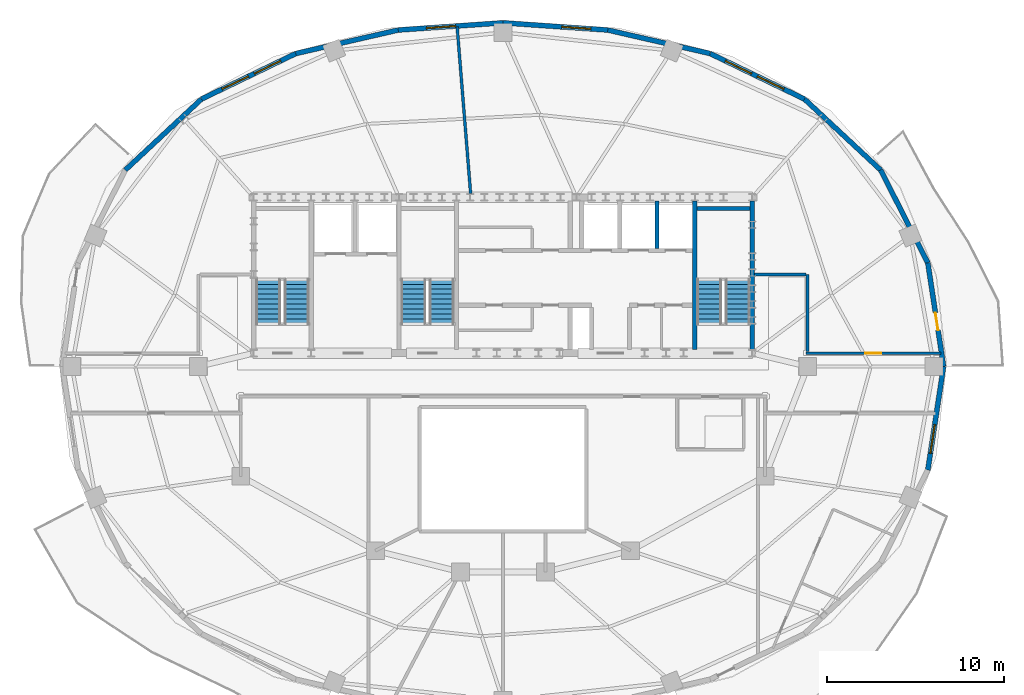
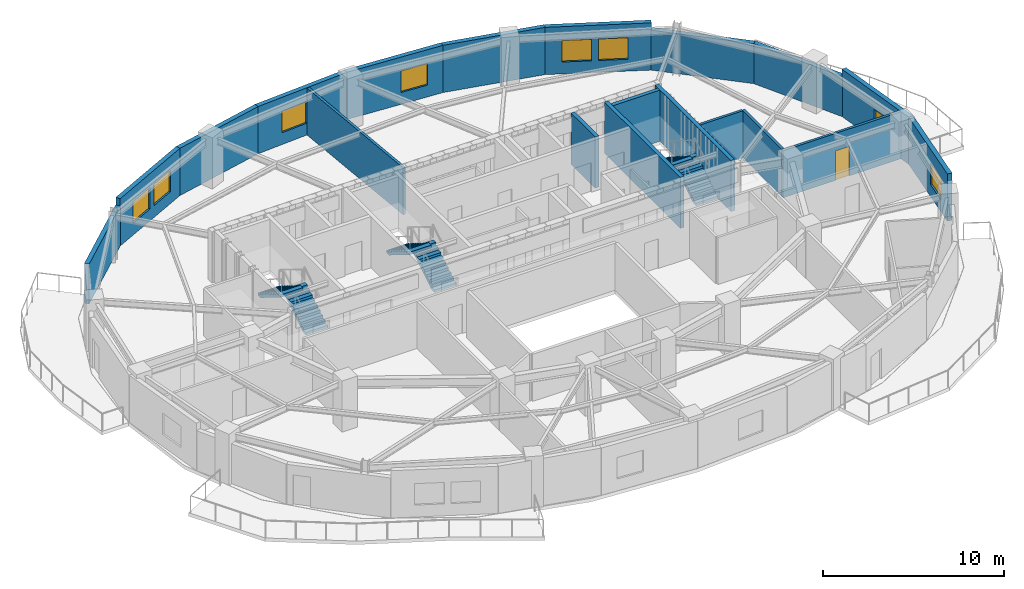
# One storey, part 5 of 9: 19 walls, 7 windows, 6 stair flights, 2 doors, 9 openings, 3 elements without a shape of their own.
"""IFC4 building model written with IfcOpenShell, lengths in metres."""

from ifc_helpers import new_model, si_unit, direction, frame, frame_2d, origin, place, context, subcontext, project, spatial, polyline, rectangle, outline, extrude, material, layer, layer_set, type_object, element, fill, aggregate, save


model = new_model("IFC4")

# Units and contexts
model_context = context("Model", 3, precision=1e-05, world=origin(), true_north=direction((0.0, 1.0)))
body_context = subcontext(model_context, "Body", "Model", "MODEL_VIEW")
ifc_project = project(units=[si_unit("LENGTHUNIT", "METRE"), si_unit("AREAUNIT", "SQUARE_METRE"), si_unit("VOLUMEUNIT", "CUBIC_METRE"), si_unit("PLANEANGLEUNIT", "RADIAN"), si_unit("MASSUNIT", "GRAM", prefix="KILO")], contexts=[model_context])

# Site, building, storey
site_placement = place(None, origin())
site = spatial("IfcSite", under=ifc_project, at=site_placement, CompositionType="ELEMENT")
building_placement = place(site_placement, origin())
building = spatial("IfcBuilding", under=site, at=building_placement, Name="Haldorwick Loom Tower", CompositionType="ELEMENT")
storey_placement = place(building_placement, frame((0.0, 0.0, 244.35009765625)))
storey = spatial("IfcBuildingStorey", under=building, at=storey_placement, Name="L66", CompositionType="ELEMENT", Elevation=244.35009765625)

# Wall, opening, door
ifc_material_1 = material(Name="Pressed Clay Face Brick and Insulated Masonry Backup Assembly", Category="masonry")
ifc_layer_1 = layer(ifc_material_1, 0.280029296875, Name="Pressed Clay Face Brick and Insulated Masonry Backup Assembly", Category="masonry")
ifc_layer_set_1 = layer_set([ifc_layer_1], Name="Pressed Clay Face Brick and Insulated Masonry Backup Assembly")
wall_type_1 = type_object("IfcWallType", Name="ARC-WL-EXT280", PredefinedType="STANDARD", material=ifc_layer_set_1)
wall_1_placement = place(storey_placement, frame((60.876708984375, 26.0, 0.0), z_axis=(0.0, 0.0, 1.0), x_axis=(-0.150497234153, 0.988610430105, 0.0)))
wall_1 = element("IfcWall", 1, at=wall_1_placement, inside=storey, type_object=wall_type_1, Name="L66 Brick Pier and Spandrel Wall 1", PredefinedType="STANDARD", context=body_context, shape_type="SweptSolid", body=[
    extrude(rectangle(XDim=5.916259765625, YDim=0.280029296875, at=frame_2d((2.9580078125, 0.0))), origin(), (0.0, 0.0, 1.0), 3.18994140625),
])
opening_1_placement = place(wall_1_placement, frame((2.0703125, 0.0, 0.0)))
opening_1 = element("IfcOpeningElement", 2, at=opening_1_placement, cuts=wall_1, Name="Opening D-BL10", PredefinedType="OPENING", context=body_context, shape_type="SweptSolid", body=[
    extrude(rectangle(XDim=1.0, YDim=2.0400390625, at=frame_2d((0.5, 1.02001953125))), frame((0.0, 0.14990234375, 0.0), z_axis=(0.0, -1.0, 0.0), x_axis=(1.0, 0.0, 0.0)), (0.0, 0.0, 1.0), 0.300048828125),
])
ifc_material_2 = material(Name="Thermally Broken Anodized Aluminium Curtain Wall Framing", Category="aluminium")
door_type_1 = type_object("IfcDoorType", Name="ARC-DR-BAL100", OperationType="NOTDEFINED", PredefinedType="DOOR", material=ifc_material_2)
door_1_placement = place(opening_1_placement, origin())
door_1 = element("IfcDoor", 3, at=door_1_placement, inside=storey, type_object=door_type_1, Name="L66 Outdoor Terrace Door SLB-L66-BAL_ENE", OperationType="SINGLE_SWING_RIGHT", OverallHeight=2.0400390625, OverallWidth=1.0, PredefinedType="DOOR", context=body_context, shape_type="SweptSolid", body=[
    extrude(rectangle(XDim=1.0, YDim=2.0400390625, at=frame_2d((0.5, 1.02001953125))), frame((0.0, 0.02490234375, 0.0), z_axis=(0.0, -1.0, 0.0), x_axis=(1.0, 0.0, 0.0)), (0.0, 0.0, 1.0), 0.050048828125),
])
fill(opening_1, door_1)

# Walls
wall_2_placement = place(storey_placement, frame((59.986328125, 31.848876953125, 0.0), z_axis=(0.0, 0.0, 1.0), x_axis=(-0.453100705059, 0.89145933787, 0.0)))
element("IfcWall", 4, at=wall_2_placement, inside=storey, type_object=wall_type_1, Name="L66 Brick Pier and Spandrel Wall 2", PredefinedType="STANDARD", context=body_context, shape_type="SweptSolid", body=[
    extrude(rectangle(XDim=5.879150390625, YDim=0.280029296875, at=frame_2d((2.939453125, 0.0))), origin(), (0.0, 0.0, 1.0), 2.698974609375),
])
wall_3_placement = place(storey_placement, frame((57.322509765625, 37.08984375, 0.0), z_axis=(0.0, 0.0, 1.0), x_axis=(-0.731924682982, 0.68138554317, 0.0)))
element("IfcWall", 5, at=wall_3_placement, inside=storey, type_object=wall_type_1, Name="L66 Brick Pier and Spandrel Wall 3", PredefinedType="STANDARD", context=body_context, shape_type="SweptSolid", body=[
    extrude(rectangle(XDim=5.87890625, YDim=0.280029296875, at=frame_2d((2.939453125, 0.0))), origin(), (0.0, 0.0, 1.0), 2.698974609375),
])

# Wall, openings, windows
wall_4_placement = place(storey_placement, frame((53.01953125, 41.095703125, 0.0), z_axis=(0.0, 0.0, 1.0), x_axis=(-0.900481907967, 0.434893473651, 0.0)))
wall_4 = element("IfcWall", 6, at=wall_4_placement, inside=storey, type_object=wall_type_1, Name="L66 Brick Pier and Spandrel Wall 4", PredefinedType="STANDARD", context=body_context, shape_type="SweptSolid", body=[
    extrude(rectangle(XDim=5.90966796875, YDim=0.280029296875, at=frame_2d((2.954833984375, 0.0))), origin(), (0.0, 0.0, 1.0), 3.18994140625),
])
opening_2_placement = place(wall_4_placement, frame((1.29443359375, 0.0, 0.800048828125)))
opening_2 = element("IfcOpeningElement", 7, at=opening_2_placement, cuts=wall_4, Name="Opening W-01B", PredefinedType="OPENING", context=body_context, shape_type="SweptSolid", body=[
    extrude(rectangle(XDim=1.64990234375, YDim=1.449951171875, at=frame_2d((0.824951171875, 0.72509765625))), frame((0.0, 0.14990234375, 0.0), z_axis=(0.0, -1.0, 0.0), x_axis=(1.0, 0.0, 0.0)), (0.0, 0.0, 1.0), 0.300048828125),
])
opening_3_placement = place(wall_4_placement, frame((3.311767578125, 0.0, 0.800048828125)))
opening_3 = element("IfcOpeningElement", 8, at=opening_3_placement, cuts=wall_4, Name="Opening W-01B", PredefinedType="OPENING", context=body_context, shape_type="SweptSolid", body=[
    extrude(rectangle(XDim=1.64990234375, YDim=1.449951171875, at=frame_2d((0.824951171875, 0.72509765625))), frame((0.0, 0.14990234375, 0.0), z_axis=(0.0, -1.0, 0.0), x_axis=(1.0, 0.0, 0.0)), (0.0, 0.0, 1.0), 0.300048828125),
])
ifc_material_3 = material(Name="Triple-Glazed Low-E Argon Insulated Glazing Unit", Category="glass")
window_type = type_object("IfcWindowType", Name="ARC-WIN-W165", PartitioningType="SINGLE_PANEL", PredefinedType="WINDOW", material=ifc_material_3)
window_1_placement = place(opening_2_placement, origin())
window_1 = element("IfcWindow", 9, at=window_1_placement, inside=storey, type_object=window_type, Name="L66 Deep-Set Zone 7A Window 4", OverallHeight=1.449951171875, OverallWidth=1.64990234375, PartitioningType="SINGLE_PANEL", PredefinedType="WINDOW", context=body_context, shape_type="SweptSolid", body=[
    extrude(rectangle(XDim=1.64990234375, YDim=1.449951171875, at=frame_2d((0.824951171875, 0.72509765625))), frame((0.0, 0.030029296875, 0.0), z_axis=(0.0, -1.0, 0.0), x_axis=(1.0, 0.0, 0.0)), (0.0, 0.0, 1.0), 0.06005859375),
])
fill(opening_2, window_1)
window_2_placement = place(opening_3_placement, origin())
window_2 = element("IfcWindow", 10, at=window_2_placement, inside=storey, type_object=window_type, Name="L66 Deep-Set Zone 7A Window 4", OverallHeight=1.449951171875, OverallWidth=1.64990234375, PartitioningType="SINGLE_PANEL", PredefinedType="WINDOW", context=body_context, shape_type="SweptSolid", body=[
    extrude(rectangle(XDim=1.64990234375, YDim=1.449951171875, at=frame_2d((0.824951171875, 0.72509765625))), frame((0.0, 0.030029296875, 0.0), z_axis=(0.0, -1.0, 0.0), x_axis=(1.0, 0.0, 0.0)), (0.0, 0.0, 1.0), 0.06005859375),
])
fill(opening_3, window_2)

# Wall
wall_5_placement = place(storey_placement, frame((47.697998046875, 43.665771484375, 0.0), z_axis=(0.0, 0.0, 1.0), x_axis=(-0.974589984037, 0.223996345987, 0.0)))
element("IfcWall", 11, at=wall_5_placement, inside=storey, type_object=wall_type_1, Name="L66 Brick Pier and Spandrel Wall 5", PredefinedType="STANDARD", context=body_context, shape_type="SweptSolid", body=[
    extrude(rectangle(XDim=5.92919921875, YDim=0.280029296875, at=frame_2d((2.964599609375, 0.0))), origin(), (0.0, 0.0, 1.0), 3.18994140625),
])

# Wall, opening, window
wall_6_placement = place(storey_placement, frame((41.91943359375, 44.993896484375, 0.0), z_axis=(0.0, 0.0, 1.0), x_axis=(-0.997656066566, 0.068427865986, 0.0)))
wall_6 = element("IfcWall", 12, at=wall_6_placement, inside=storey, type_object=wall_type_1, Name="L66 Brick Pier and Spandrel Wall 6", PredefinedType="STANDARD", context=body_context, shape_type="SweptSolid", body=[
    extrude(rectangle(XDim=5.933349609375, YDim=0.280029296875, at=frame_2d((2.966796875, 0.0))), origin(), (0.0, 0.0, 1.0), 3.18994140625),
])
opening_4_placement = place(wall_6_placement, frame((0.955078125, 0.0, 0.800048828125)))
opening_4 = element("IfcOpeningElement", 13, at=opening_4_placement, cuts=wall_6, Name="Opening W-01B", PredefinedType="OPENING", context=body_context, shape_type="SweptSolid", body=[
    extrude(rectangle(XDim=1.64990234375, YDim=1.449951171875, at=frame_2d((0.824951171875, 0.72509765625))), frame((0.0, 0.14990234375, 0.0), z_axis=(0.0, -1.0, 0.0), x_axis=(1.0, 0.0, 0.0)), (0.0, 0.0, 1.0), 0.300048828125),
])
window_3_placement = place(opening_4_placement, origin())
window_3 = element("IfcWindow", 14, at=window_3_placement, inside=storey, type_object=window_type, Name="L66 Deep-Set Zone 7A Window 6", OverallHeight=1.449951171875, OverallWidth=1.64990234375, PartitioningType="SINGLE_PANEL", PredefinedType="WINDOW", context=body_context, shape_type="SweptSolid", body=[
    extrude(rectangle(XDim=1.64990234375, YDim=1.449951171875, at=frame_2d((0.824951171875, 0.72509765625))), frame((0.0, 0.030029296875, 0.0), z_axis=(0.0, -1.0, 0.0), x_axis=(1.0, 0.0, 0.0)), (0.0, 0.0, 1.0), 0.06005859375),
])
fill(opening_4, window_3)

wall_7_placement = place(storey_placement, frame((36.0, 45.39990234375, 0.0), z_axis=(0.0, 0.0, 1.0), x_axis=(-0.997656066566, -0.068427865986, 0.0)))
wall_7 = element("IfcWall", 15, at=wall_7_placement, inside=storey, type_object=wall_type_1, Name="L66 Brick Pier and Spandrel Wall 7", PredefinedType="STANDARD", context=body_context, shape_type="SweptSolid", body=[
    extrude(rectangle(XDim=5.933349609375, YDim=0.280029296875, at=frame_2d((2.966796875, 0.0))), origin(), (0.0, 0.0, 1.0), 3.18994140625),
])
opening_5_placement = place(wall_7_placement, frame((2.68212890625, 0.0, 0.800048828125)))
opening_5 = element("IfcOpeningElement", 16, at=opening_5_placement, cuts=wall_7, Name="Opening W-01B", PredefinedType="OPENING", context=body_context, shape_type="SweptSolid", body=[
    extrude(rectangle(XDim=1.64990234375, YDim=1.449951171875, at=frame_2d((0.824951171875, 0.72509765625))), frame((0.0, 0.14990234375, 0.0), z_axis=(0.0, -1.0, 0.0), x_axis=(1.0, 0.0, 0.0)), (0.0, 0.0, 1.0), 0.300048828125),
])
window_4_placement = place(opening_5_placement, origin())
window_4 = element("IfcWindow", 17, at=window_4_placement, inside=storey, type_object=window_type, Name="L66 Deep-Set Zone 7A Window 7", OverallHeight=1.449951171875, OverallWidth=1.64990234375, PartitioningType="SINGLE_PANEL", PredefinedType="WINDOW", context=body_context, shape_type="SweptSolid", body=[
    extrude(rectangle(XDim=1.64990234375, YDim=1.449951171875, at=frame_2d((0.824951171875, 0.72509765625))), frame((0.0, 0.030029296875, 0.0), z_axis=(0.0, -1.0, 0.0), x_axis=(1.0, 0.0, 0.0)), (0.0, 0.0, 1.0), 0.06005859375),
])
fill(opening_5, window_4)

# Wall
wall_8_placement = place(storey_placement, frame((30.08056640625, 44.993896484375, 0.0), z_axis=(0.0, 0.0, 1.0), x_axis=(-0.974589984037, -0.223996345987, 0.0)))
element("IfcWall", 18, at=wall_8_placement, inside=storey, type_object=wall_type_1, Name="L66 Brick Pier and Spandrel Wall 8", PredefinedType="STANDARD", context=body_context, shape_type="SweptSolid", body=[
    extrude(rectangle(XDim=5.92919921875, YDim=0.280029296875, at=frame_2d((2.964599609375, 0.0))), origin(), (0.0, 0.0, 1.0), 3.18994140625),
])

# Wall, openings, windows
wall_9_placement = place(storey_placement, frame((24.302001953125, 43.665771484375, 0.0), z_axis=(0.0, 0.0, 1.0), x_axis=(-0.900481907967, -0.434893473651, 0.0)))
wall_9 = element("IfcWall", 19, at=wall_9_placement, inside=storey, type_object=wall_type_1, Name="L66 Brick Pier and Spandrel Wall 9", PredefinedType="STANDARD", context=body_context, shape_type="SweptSolid", body=[
    extrude(rectangle(XDim=5.90966796875, YDim=0.280029296875, at=frame_2d((2.954833984375, 0.0))), origin(), (0.0, 0.0, 1.0), 3.18994140625),
])
opening_6_placement = place(wall_9_placement, frame((0.947998046875, 0.0, 0.800048828125)))
opening_6 = element("IfcOpeningElement", 20, at=opening_6_placement, cuts=wall_9, Name="Opening W-01B", PredefinedType="OPENING", context=body_context, shape_type="SweptSolid", body=[
    extrude(rectangle(XDim=1.64990234375, YDim=1.449951171875, at=frame_2d((0.824951171875, 0.72509765625))), frame((0.0, 0.14990234375, 0.0), z_axis=(0.0, -1.0, 0.0), x_axis=(1.0, 0.0, 0.0)), (0.0, 0.0, 1.0), 0.300048828125),
])
opening_7_placement = place(wall_9_placement, frame((2.965087890625, 0.0, 0.800048828125)))
opening_7 = element("IfcOpeningElement", 21, at=opening_7_placement, cuts=wall_9, Name="Opening W-01B", PredefinedType="OPENING", context=body_context, shape_type="SweptSolid", body=[
    extrude(rectangle(XDim=1.64990234375, YDim=1.449951171875, at=frame_2d((0.824951171875, 0.72509765625))), frame((0.0, 0.14990234375, 0.0), z_axis=(0.0, -1.0, 0.0), x_axis=(1.0, 0.0, 0.0)), (0.0, 0.0, 1.0), 0.300048828125),
])
window_5_placement = place(opening_6_placement, origin())
window_5 = element("IfcWindow", 22, at=window_5_placement, inside=storey, type_object=window_type, Name="L66 Deep-Set Zone 7A Window 9", OverallHeight=1.449951171875, OverallWidth=1.64990234375, PartitioningType="SINGLE_PANEL", PredefinedType="WINDOW", context=body_context, shape_type="SweptSolid", body=[
    extrude(rectangle(XDim=1.64990234375, YDim=1.449951171875, at=frame_2d((0.824951171875, 0.72509765625))), frame((0.0, 0.030029296875, 0.0), z_axis=(0.0, -1.0, 0.0), x_axis=(1.0, 0.0, 0.0)), (0.0, 0.0, 1.0), 0.06005859375),
])
fill(opening_6, window_5)
window_6_placement = place(opening_7_placement, origin())
window_6 = element("IfcWindow", 23, at=window_6_placement, inside=storey, type_object=window_type, Name="L66 Deep-Set Zone 7A Window 9", OverallHeight=1.449951171875, OverallWidth=1.64990234375, PartitioningType="SINGLE_PANEL", PredefinedType="WINDOW", context=body_context, shape_type="SweptSolid", body=[
    extrude(rectangle(XDim=1.64990234375, YDim=1.449951171875, at=frame_2d((0.824951171875, 0.72509765625))), frame((0.0, 0.030029296875, 0.0), z_axis=(0.0, -1.0, 0.0), x_axis=(1.0, 0.0, 0.0)), (0.0, 0.0, 1.0), 0.06005859375),
])
fill(opening_7, window_6)

# Wall
wall_10_placement = place(storey_placement, frame((18.98046875, 41.095703125, 0.0), z_axis=(0.0, 0.0, 1.0), x_axis=(-0.731924682982, -0.68138554317, 0.0)))
element("IfcWall", 24, at=wall_10_placement, inside=storey, type_object=wall_type_1, Name="L66 Brick Pier and Spandrel Wall 10", PredefinedType="STANDARD", context=body_context, shape_type="SweptSolid", body=[
    extrude(rectangle(XDim=5.87890625, YDim=0.280029296875, at=frame_2d((2.939453125, 0.0))), origin(), (0.0, 0.0, 1.0), 2.698974609375),
])

# Wall, opening, window
wall_11_placement = place(storey_placement, frame((59.986328125, 20.151123046875, 0.0), z_axis=(0.0, 0.0, 1.0), x_axis=(0.150497234153, 0.988610430105, 0.0)))
wall_11 = element("IfcWall", 25, at=wall_11_placement, inside=storey, type_object=wall_type_1, Name="L66 Brick Pier and Spandrel Wall 24", PredefinedType="STANDARD", context=body_context, shape_type="SweptSolid", body=[
    extrude(rectangle(XDim=5.916259765625, YDim=0.280029296875, at=frame_2d((2.9580078125, 0.0))), origin(), (0.0, 0.0, 1.0), 3.18994140625),
])
opening_8_placement = place(wall_11_placement, frame((0.949951171875, 0.0, 0.800048828125)))
opening_8 = element("IfcOpeningElement", 26, at=opening_8_placement, cuts=wall_11, Name="Opening W-01B", PredefinedType="OPENING", context=body_context, shape_type="SweptSolid", body=[
    extrude(rectangle(XDim=1.64990234375, YDim=1.449951171875, at=frame_2d((0.824951171875, 0.72509765625))), frame((0.0, 0.14990234375, 0.0), z_axis=(0.0, -1.0, 0.0), x_axis=(1.0, 0.0, 0.0)), (0.0, 0.0, 1.0), 0.300048828125),
])
window_7_placement = place(opening_8_placement, origin())
window_7 = element("IfcWindow", 27, at=window_7_placement, inside=storey, type_object=window_type, Name="L66 Deep-Set Zone 7A Window 24", OverallHeight=1.449951171875, OverallWidth=1.64990234375, PartitioningType="SINGLE_PANEL", PredefinedType="WINDOW", context=body_context, shape_type="SweptSolid", body=[
    extrude(rectangle(XDim=1.64990234375, YDim=1.449951171875, at=frame_2d((0.824951171875, 0.72509765625))), frame((0.0, 0.030029296875, 0.0), z_axis=(0.0, -1.0, 0.0), x_axis=(1.0, 0.0, 0.0)), (0.0, 0.0, 1.0), 0.06005859375),
])
fill(opening_8, window_7)

# Wall, opening, door
ifc_material_4 = material(Name="Fire-Rated Type X Gypsum Stud Assembly EI 60")
ifc_layer_2 = layer(ifc_material_4, 0.159912109375, Name="Fire-Rated Type X Gypsum Stud Assembly EI 60")
ifc_layer_set_2 = layer_set([ifc_layer_2], Name="Fire-Rated Type X Gypsum Stud Assembly EI 60")
wall_type_2 = type_object("IfcWallType", Name="ARC-WL-FIRE160", PredefinedType="PARTITIONING", material=ifc_layer_set_2)
wall_12_placement = place(storey_placement, frame((53.10009765625, 26.75, 0.0), z_axis=(0.0, 0.0, 1.0), x_axis=(1.0, 0.0, 0.0)))
wall_12 = element("IfcWall", 28, at=wall_12_placement, inside=storey, type_object=wall_type_2, Name="L66 Residential Fire Partition L66-CR-NEL", PredefinedType="PARTITIONING", context=body_context, shape_type="SweptSolid", body=[
    extrude(rectangle(XDim=7.616943359375, YDim=0.159912109375, at=frame_2d((3.80859375, 0.0))), origin(), (0.0, 0.0, 1.0), 3.1748046875),
])
opening_9_placement = place(wall_12_placement, frame((3.3583984375, 0.0, 0.0)))
opening_9 = element("IfcOpeningElement", 29, at=opening_9_placement, cuts=wall_12, Name="Opening D-FD60A", PredefinedType="OPENING", context=body_context, shape_type="SweptSolid", body=[
    extrude(rectangle(XDim=0.89990234375, YDim=2.0, at=frame_2d((0.449951171875, 1.0))), frame((0.0, 0.08984375, 0.0), z_axis=(0.0, -1.0, 0.0), x_axis=(1.0, 0.0, 0.0)), (0.0, 0.0, 1.0), 0.179931640625),
])
ifc_material_5 = material(Name="Hollow Steel Fire Door Assembly", Category="steel")
door_type_2 = type_object("IfcDoorType", Name="ARC-DR-FD60-90", OperationType="NOTDEFINED", PredefinedType="DOOR", material=ifc_material_5)
door_2_placement = place(opening_9_placement, frame((0.89990234375, 0.0, 0.0), z_axis=(0.0, 0.0, 1.0), x_axis=(-1.0, 0.0, 0.0)))
door_2 = element("IfcDoor", 30, at=door_2_placement, inside=storey, type_object=door_type_2, Name="L66 Community Teaching Classroom 4 to L66 Central Residential Corridor D", OperationType="SINGLE_SWING_LEFT", OverallHeight=2.0, OverallWidth=0.89990234375, PredefinedType="DOOR", context=body_context, shape_type="SweptSolid", body=[
    extrude(rectangle(XDim=0.89990234375, YDim=2.0, at=frame_2d((0.449951171875, 1.0))), frame((0.0, 0.02490234375, 0.0), z_axis=(0.0, -1.0, 0.0), x_axis=(1.0, 0.0, 0.0)), (0.0, 0.0, 1.0), 0.050048828125),
])
fill(opening_9, door_2)

# Walls
wall_13_placement = place(storey_placement, frame((53.199951171875, 26.8330078125, 0.0), z_axis=(0.0, 0.0, 1.0), x_axis=(0.0, 1.0, 0.0)))
element("IfcWall", 31, at=wall_13_placement, inside=storey, type_object=wall_type_2, Name="L66 Residential Fire Partition L66-CR-E0", PredefinedType="PARTITIONING", context=body_context, shape_type="SweptSolid", body=[
    extrude(rectangle(XDim=4.366943359375, YDim=0.159912109375, at=frame_2d((2.18359375, 0.0))), origin(), (0.0, 0.0, 1.0), 3.1748046875),
])
wall_14_placement = place(storey_placement, frame((50.193115234375, 31.199951171875, 0.0), z_axis=(0.0, 0.0, 1.0), x_axis=(1.0, 0.0, 0.0)))
element("IfcWall", 32, at=wall_14_placement, inside=storey, type_object=wall_type_2, Name="L66 Residential Fire Partition L66-CR-ENJ", PredefinedType="PARTITIONING", context=body_context, shape_type="SweptSolid", body=[
    extrude(rectangle(XDim=2.923828125, YDim=0.159912109375, at=frame_2d((1.4619140625, 0.0))), origin(), (0.0, 0.0, 1.0), 3.1748046875),
])
wall_15_placement = place(storey_placement, frame((34.175537109375, 35.7529296875, 0.0), z_axis=(0.0, 0.0, 1.0), x_axis=(-0.080662651061, 0.996741459318, 0.0)))
element("IfcWall", 33, at=wall_15_placement, inside=storey, type_object=wall_type_2, Name="L66 Residential Fire Partition L66-UPN-C3", PredefinedType="PARTITIONING", context=body_context, shape_type="SweptSolid", body=[
    extrude(rectangle(XDim=9.455322265625, YDim=0.159912109375, at=frame_2d((4.7275390625, 0.0))), origin(), (0.0, 0.0, 1.0), 3.1748046875),
])
ifc_material_6 = material(Name="Concrete C50 (50 MPa)", Category="concrete")
ifc_layer_3 = layer(ifc_material_6, 0.239990234375, Name="Concrete C50 (50 MPa)", Category="concrete")
ifc_layer_set_3 = layer_set([ifc_layer_3], Name="Concrete C50 (50 MPa)")
wall_type_3 = type_object("IfcWallType", Name="STR-WL-SHAFT240", PredefinedType="SHEAR", material=ifc_layer_set_3)
for number, where, z_axis, x_axis, name in (
    (34, (50.070068359375, 26.952880859375, 0.0), (0.0, 0.0, 1.0), (0.0, 1.0, 0.0), "L66 Core Shear Wall E"),
    (35, (46.830078125, 26.952880859375, 0.0), (0.0, 0.0, 1.0), (0.0, 1.0, 0.0), "L66 Core Shear Wall 4"),
):
    element("IfcWall", number, at=place(storey_placement, frame(where, z_axis=z_axis, x_axis=x_axis)), inside=storey, type_object=wall_type_3, Name=name, PredefinedType="SHEAR", context=body_context, shape_type="SweptSolid", body=[
        extrude(rectangle(XDim=8.39404296875, YDim=0.239990234375, at=frame_2d((4.197021484375, 0.0))), origin(), (0.0, 0.0, 1.0), 3.449951171875),
    ])
wall_16_placement = place(storey_placement, frame((46.952880859375, 34.919921875, 0.0), z_axis=(0.0, 0.0, 1.0), x_axis=(1.0, 0.0, 0.0)))
element("IfcWall", 36, at=wall_16_placement, inside=storey, type_object=wall_type_3, Name="L66 Core Shear Wall 4N", PredefinedType="SHEAR", context=body_context, shape_type="SweptSolid", body=[
    extrude(rectangle(XDim=2.994140625, YDim=0.239990234375, at=frame_2d((1.4970703125, 0.0))), origin(), (0.0, 0.0, 1.0), 3.449951171875),
])
wall_17_placement = place(storey_placement, frame((44.699951171875, 32.673095703125, 0.0), z_axis=(0.0, 0.0, 1.0), x_axis=(0.0, 1.0, 0.0)))
element("IfcWall", 37, at=wall_17_placement, inside=storey, type_object=wall_type_3, Name="L66 Core Shear Wall H2", PredefinedType="SHEAR", context=body_context, shape_type="SweptSolid", body=[
    extrude(rectangle(XDim=2.673828125, YDim=0.239990234375, at=frame_2d((1.3369140625, 0.0))), origin(), (0.0, 0.0, 1.0), 3.449951171875),
])

# Stair, stair flights
ifc_material_7 = material(Name="Concrete C40 (40 MPa)", Category="concrete")
stair_type = type_object("IfcStairType", Name="STR-STR-CORE", PredefinedType="HALF_TURN_STAIR", material=ifc_material_7)
stair_1_placement = place(storey_placement, origin())
stair_1 = element("IfcStair", 38, at=stair_1_placement, inside=storey, type_object=stair_type, Name="L66 Exit Stair ST-01", PredefinedType="HALF_TURN_STAIR")
stair_flight_type = type_object("IfcStairFlightType", Name="STR-STF-1250", PredefinedType="STRAIGHT", material=ifc_material_7)
stair_flight_1_placement = place(storey_placement, frame((24.35009765625, 28.39990234375, 0.0), z_axis=(0.0, 0.0, 1.0), x_axis=(0.0, 1.0, 0.0)))
stair_flight_1 = element("IfcStairFlight", 39, at=stair_flight_1_placement, type_object=stair_flight_type, Name="ST-01 flight 1", NumberOfRisers=10, NumberOfTreads=9, PredefinedType="STRAIGHT", RiserHeight=0.1725, TreadLength=0.28, context=body_context, shape_type="SweptSolid", body=[
    extrude(outline(polyline([(0.0, 0.0), (0.0, 0.172607421875), (0.280029296875, 0.172607421875), (0.280029296875, 0.344970703125), (0.56005859375, 0.344970703125), (0.56005859375, 0.517578125), (0.840087890625, 0.517578125), (0.840087890625, 0.68994140625), (1.1201171875, 0.68994140625), (1.1201171875, 0.862548828125), (1.39990234375, 0.862548828125), (1.39990234375, 1.034912109375), (1.679931640625, 1.034912109375), (1.679931640625, 1.20751953125), (1.9599609375, 1.20751953125), (1.9599609375, 1.3798828125), (2.239990234375, 1.3798828125), (2.239990234375, 1.552490234375), (2.52001953125, 1.552490234375), (2.52001953125, 1.72509765625), (2.52001953125, 1.37646484375), (0.285888671875, 0.0), (0.0, 0.0)])), frame((0.0, 0.699951171875, 0.0), z_axis=(0.0, -1.0, 0.0), x_axis=(1.0, 0.0, 0.0)), (0.0, 0.0, 1.0), 1.39990234375),
])
stair_flight_2_placement = place(storey_placement, frame((22.75, 30.919921875, 1.724853515625), z_axis=(0.0, 0.0, 1.0), x_axis=(0.0, -1.0, 0.0)))
stair_flight_2 = element("IfcStairFlight", 40, at=stair_flight_2_placement, type_object=stair_flight_type, Name="ST-01 flight 2", NumberOfRisers=10, NumberOfTreads=9, PredefinedType="STRAIGHT", RiserHeight=0.1725, TreadLength=0.28, context=body_context, shape_type="SweptSolid", body=[
    extrude(outline(polyline([(0.0, 0.0), (0.0, 0.172607421875), (0.280029296875, 0.172607421875), (0.280029296875, 0.344970703125), (0.56005859375, 0.344970703125), (0.56005859375, 0.517578125), (0.840087890625, 0.517578125), (0.840087890625, 0.68994140625), (1.1201171875, 0.68994140625), (1.1201171875, 0.862548828125), (1.39990234375, 0.862548828125), (1.39990234375, 1.034912109375), (1.679931640625, 1.034912109375), (1.679931640625, 1.20751953125), (1.9599609375, 1.20751953125), (1.9599609375, 1.3798828125), (2.239990234375, 1.3798828125), (2.239990234375, 1.552490234375), (2.52001953125, 1.552490234375), (2.52001953125, 1.72509765625), (2.52001953125, 1.37646484375), (0.285888671875, 0.0), (0.0, 0.0)])), frame((0.0, 0.699951171875, 0.0), z_axis=(0.0, -1.0, 0.0), x_axis=(1.0, 0.0, 0.0)), (0.0, 0.0, 1.0), 1.39990234375),
])
aggregate(stair_1, [stair_flight_1, stair_flight_2])

stair_2_placement = place(storey_placement, origin())
stair_2 = element("IfcStair", 41, at=stair_2_placement, inside=storey, type_object=stair_type, Name="L66 Exit Stair ST-02", PredefinedType="HALF_TURN_STAIR")
stair_flight_3_placement = place(storey_placement, frame((49.25, 28.39990234375, 0.0), z_axis=(0.0, 0.0, 1.0), x_axis=(0.0, 1.0, 0.0)))
stair_flight_3 = element("IfcStairFlight", 42, at=stair_flight_3_placement, type_object=stair_flight_type, Name="ST-02 flight 1", NumberOfRisers=10, NumberOfTreads=9, PredefinedType="STRAIGHT", RiserHeight=0.1725, TreadLength=0.28, context=body_context, shape_type="SweptSolid", body=[
    extrude(outline(polyline([(0.0, 0.0), (0.0, 0.172607421875), (0.280029296875, 0.172607421875), (0.280029296875, 0.344970703125), (0.56005859375, 0.344970703125), (0.56005859375, 0.517578125), (0.840087890625, 0.517578125), (0.840087890625, 0.68994140625), (1.1201171875, 0.68994140625), (1.1201171875, 0.862548828125), (1.39990234375, 0.862548828125), (1.39990234375, 1.034912109375), (1.679931640625, 1.034912109375), (1.679931640625, 1.20751953125), (1.9599609375, 1.20751953125), (1.9599609375, 1.3798828125), (2.239990234375, 1.3798828125), (2.239990234375, 1.552490234375), (2.52001953125, 1.552490234375), (2.52001953125, 1.72509765625), (2.52001953125, 1.37646484375), (0.285888671875, 0.0), (0.0, 0.0)])), frame((0.0, 0.699951171875, 0.0), z_axis=(0.0, -1.0, 0.0), x_axis=(1.0, 0.0, 0.0)), (0.0, 0.0, 1.0), 1.39990234375),
])
stair_flight_4_placement = place(storey_placement, frame((47.64990234375, 30.919921875, 1.724853515625), z_axis=(0.0, 0.0, 1.0), x_axis=(0.0, -1.0, 0.0)))
stair_flight_4 = element("IfcStairFlight", 43, at=stair_flight_4_placement, type_object=stair_flight_type, Name="ST-02 flight 2", NumberOfRisers=10, NumberOfTreads=9, PredefinedType="STRAIGHT", RiserHeight=0.1725, TreadLength=0.28, context=body_context, shape_type="SweptSolid", body=[
    extrude(outline(polyline([(0.0, 0.0), (0.0, 0.172607421875), (0.280029296875, 0.172607421875), (0.280029296875, 0.344970703125), (0.56005859375, 0.344970703125), (0.56005859375, 0.517578125), (0.840087890625, 0.517578125), (0.840087890625, 0.68994140625), (1.1201171875, 0.68994140625), (1.1201171875, 0.862548828125), (1.39990234375, 0.862548828125), (1.39990234375, 1.034912109375), (1.679931640625, 1.034912109375), (1.679931640625, 1.20751953125), (1.9599609375, 1.20751953125), (1.9599609375, 1.3798828125), (2.239990234375, 1.3798828125), (2.239990234375, 1.552490234375), (2.52001953125, 1.552490234375), (2.52001953125, 1.72509765625), (2.52001953125, 1.37646484375), (0.285888671875, 0.0), (0.0, 0.0)])), frame((0.0, 0.699951171875, 0.0), z_axis=(0.0, -1.0, 0.0), x_axis=(1.0, 0.0, 0.0)), (0.0, 0.0, 1.0), 1.39990234375),
])
aggregate(stair_2, [stair_flight_3, stair_flight_4])

stair_3_placement = place(storey_placement, origin())
stair_3 = element("IfcStair", 44, at=stair_3_placement, inside=storey, type_object=stair_type, Name="L66 Exit Stair ST-03", PredefinedType="HALF_TURN_STAIR")
stair_flight_5_placement = place(storey_placement, frame((32.550048828125, 28.39990234375, 0.0), z_axis=(0.0, 0.0, 1.0), x_axis=(0.0, 1.0, 0.0)))
stair_flight_5 = element("IfcStairFlight", 45, at=stair_flight_5_placement, type_object=stair_flight_type, Name="ST-03 flight 1", NumberOfRisers=10, NumberOfTreads=9, PredefinedType="STRAIGHT", RiserHeight=0.1725, TreadLength=0.28, context=body_context, shape_type="SweptSolid", body=[
    extrude(outline(polyline([(0.0, 0.0), (0.0, 0.172607421875), (0.280029296875, 0.172607421875), (0.280029296875, 0.344970703125), (0.56005859375, 0.344970703125), (0.56005859375, 0.517578125), (0.840087890625, 0.517578125), (0.840087890625, 0.68994140625), (1.1201171875, 0.68994140625), (1.1201171875, 0.862548828125), (1.39990234375, 0.862548828125), (1.39990234375, 1.034912109375), (1.679931640625, 1.034912109375), (1.679931640625, 1.20751953125), (1.9599609375, 1.20751953125), (1.9599609375, 1.3798828125), (2.239990234375, 1.3798828125), (2.239990234375, 1.552490234375), (2.52001953125, 1.552490234375), (2.52001953125, 1.72509765625), (2.52001953125, 1.37646484375), (0.285888671875, 0.0), (0.0, 0.0)])), frame((0.0, 0.699951171875, 0.0), z_axis=(0.0, -1.0, 0.0), x_axis=(1.0, 0.0, 0.0)), (0.0, 0.0, 1.0), 1.39990234375),
])
stair_flight_6_placement = place(storey_placement, frame((30.949951171875, 30.919921875, 1.724853515625), z_axis=(0.0, 0.0, 1.0), x_axis=(0.0, -1.0, 0.0)))
stair_flight_6 = element("IfcStairFlight", 46, at=stair_flight_6_placement, type_object=stair_flight_type, Name="ST-03 flight 2", NumberOfRisers=10, NumberOfTreads=9, PredefinedType="STRAIGHT", RiserHeight=0.1725, TreadLength=0.28, context=body_context, shape_type="SweptSolid", body=[
    extrude(outline(polyline([(0.0, 0.0), (0.0, 0.172607421875), (0.280029296875, 0.172607421875), (0.280029296875, 0.344970703125), (0.56005859375, 0.344970703125), (0.56005859375, 0.517578125), (0.840087890625, 0.517578125), (0.840087890625, 0.68994140625), (1.1201171875, 0.68994140625), (1.1201171875, 0.862548828125), (1.39990234375, 0.862548828125), (1.39990234375, 1.034912109375), (1.679931640625, 1.034912109375), (1.679931640625, 1.20751953125), (1.9599609375, 1.20751953125), (1.9599609375, 1.3798828125), (2.239990234375, 1.3798828125), (2.239990234375, 1.552490234375), (2.52001953125, 1.552490234375), (2.52001953125, 1.72509765625), (2.52001953125, 1.37646484375), (0.285888671875, 0.0), (0.0, 0.0)])), frame((0.0, 0.699951171875, 0.0), z_axis=(0.0, -1.0, 0.0), x_axis=(1.0, 0.0, 0.0)), (0.0, 0.0, 1.0), 1.39990234375),
])
aggregate(stair_3, [stair_flight_5, stair_flight_6])

save(model, "model.ifc")
